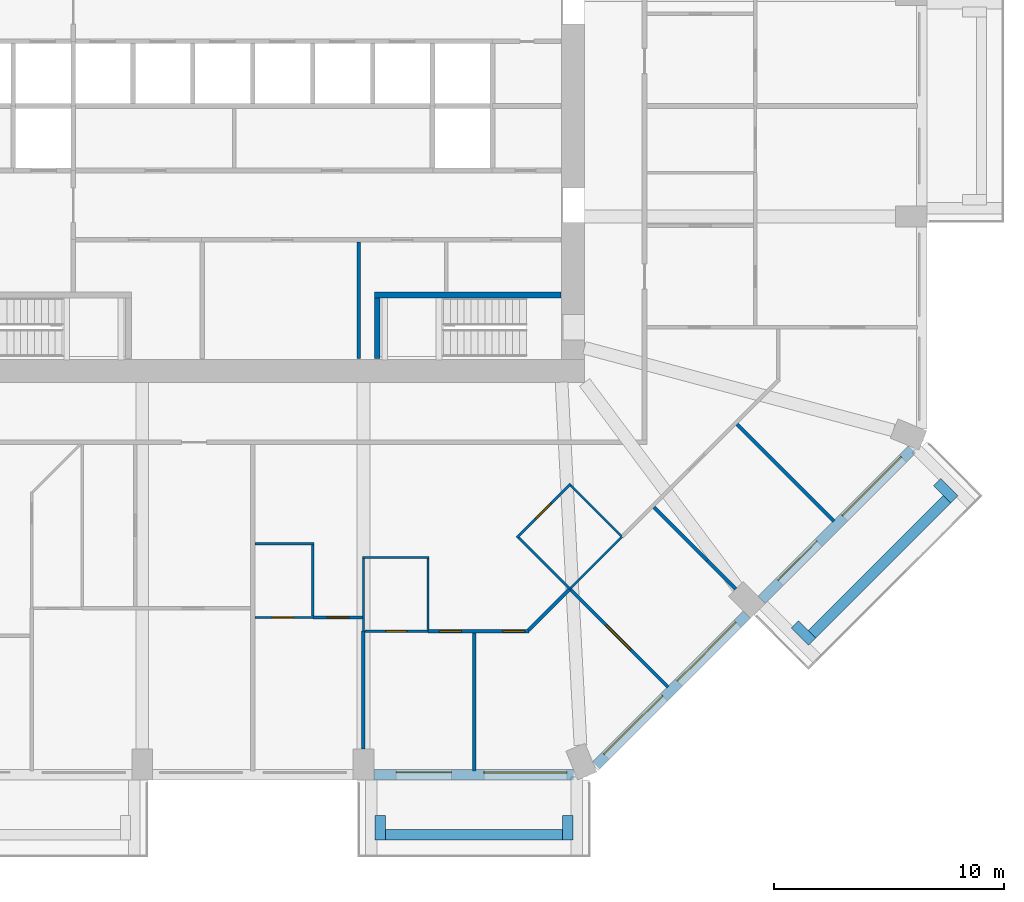
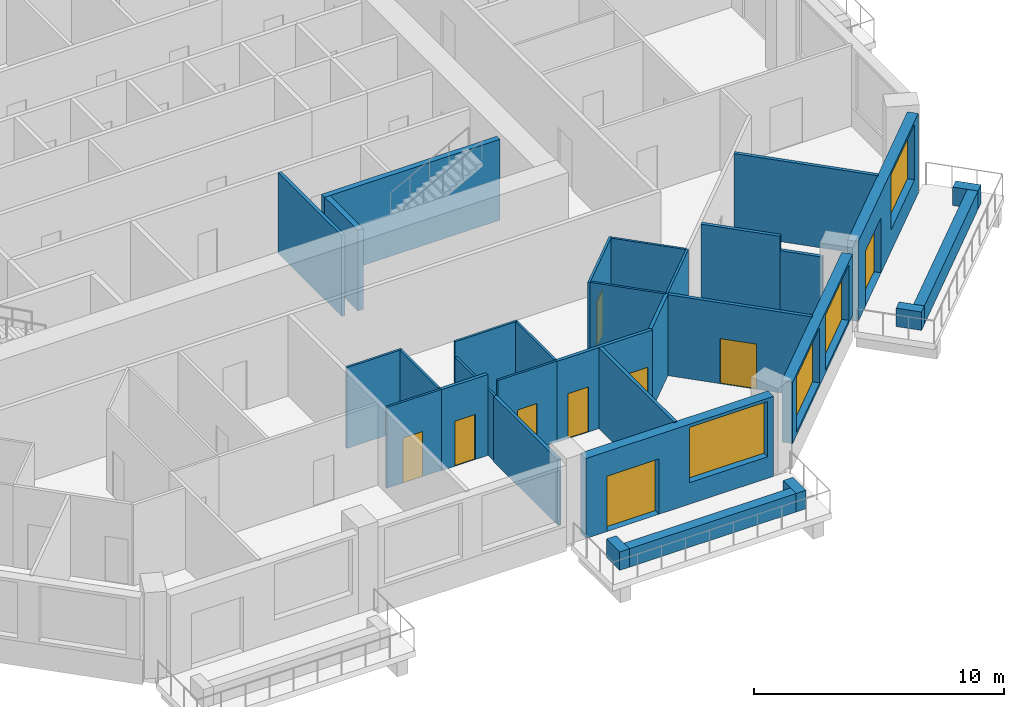
# One storey, part 5 of 13: 32 walls, 9 doors, 4 windows, 13 openings.
"""IFC4 building model written with IfcOpenShell, lengths in metres."""

from ifc_helpers import new_model, si_unit, direction, frame, frame_2d, origin, place, context, subcontext, project, spatial, rectangle, extrude, material, layer, layer_set, type_object, element, fill, save


model = new_model("IFC4")

# Units and contexts
model_context = context("Model", 3, precision=1e-05, world=origin(), true_north=direction((0.0, 1.0)))
body_context = subcontext(model_context, "Body", "Model", "MODEL_VIEW")
ifc_project = project(units=[si_unit("LENGTHUNIT", "METRE"), si_unit("AREAUNIT", "SQUARE_METRE"), si_unit("VOLUMEUNIT", "CUBIC_METRE"), si_unit("PLANEANGLEUNIT", "RADIAN"), si_unit("MASSUNIT", "GRAM", prefix="KILO")], contexts=[model_context])

# Site, building, storey
site_placement = place(None, origin())
site = spatial("IfcSite", under=ifc_project, at=site_placement, CompositionType="ELEMENT")
building_placement = place(site_placement, origin())
building = spatial("IfcBuilding", under=site, at=building_placement, Name="Msitu Wima Residences", CompositionType="ELEMENT")
storey_placement = place(building_placement, frame((0.0, 0.0, 38.10009765625)))
storey = spatial("IfcBuildingStorey", under=building, at=storey_placement, Name="L08", CompositionType="ELEMENT", Elevation=38.10009765625)

# Walls
ifc_material_1 = material(Name="Facing brick")
ifc_layer_1 = layer(ifc_material_1, 0.06494140625, Name="Facing brick")
ifc_material_2 = material(Name="Concrete C40/50", Category="concrete")
ifc_layer_2 = layer(ifc_material_2, 0.156005859375, Name="Concrete C40/50")
ifc_material_3 = material(Name="Waterproofing membrane")
ifc_layer_3 = layer(ifc_material_3, 0.00390625, Name="Waterproofing membrane")
ifc_material_4 = material(Name="Planting soil and planting")
ifc_layer_4 = layer(ifc_material_4, 0.22509765625, Name="Planting soil and planting")
ifc_layer_set_1 = layer_set([ifc_layer_1, ifc_layer_2, ifc_layer_3, ifc_layer_4], Name="Concrete C40/50")
wall_type_1 = type_object("IfcWallType", Name="Balcony planter PLANTER PL450", PredefinedType="USERDEFINED", material=ifc_layer_set_1)
wall_1_placement = place(storey_placement, frame((5.75, -31.625, 0.0), z_axis=(0.0, 0.0, 1.0), x_axis=(1.0, 0.0, 0.0)))
element("IfcWall", 1, at=wall_1_placement, inside=storey, type_object=wall_type_1, Name="Balcony planter S2 L08", ObjectType="PLANTER", PredefinedType="USERDEFINED", context=body_context, shape_type="SweptSolid", body=[
    extrude(rectangle(XDim=7.699951171875, YDim=0.449951171875, at=frame_2d((3.85009765625, 0.0))), origin(), (0.0, 0.0, 1.0), 0.89990234375),
])
for number, where, z_axis, x_axis, name in (
    (2, (5.52490234375, -30.800048828125, 0.0), (0.0, 0.0, 1.0), (0.0, -1.0, 0.0), "Balcony planter S2 L08"),
    (3, (13.675048828125, -30.800048828125, 0.0), (0.0, 0.0, 1.0), (0.0, -1.0, 0.0), "Balcony planter S2 L08"),
):
    element("IfcWall", number, at=place(storey_placement, frame(where, z_axis=z_axis, x_axis=x_axis)), inside=storey, type_object=wall_type_1, Name=name, ObjectType="PLANTER", PredefinedType="USERDEFINED", context=body_context, shape_type="SweptSolid", body=[
        extrude(rectangle(XDim=1.050048828125, YDim=0.449951171875, at=frame_2d((0.52490234375, 0.0))), origin(), (0.0, 0.0, 1.0), 0.89990234375),
    ])
wall_2_placement = place(storey_placement, frame((24.269287109375, -22.92578125, 0.0), z_axis=(0.0, 0.0, 1.0), x_axis=(0.707106781187, 0.707106781187, 0.0)))
element("IfcWall", 4, at=wall_2_placement, inside=storey, type_object=wall_type_1, Name="Balcony planter SE1 L08", ObjectType="PLANTER", PredefinedType="USERDEFINED", context=body_context, shape_type="SweptSolid", body=[
    extrude(rectangle(XDim=8.2822265625, YDim=0.449951171875, at=frame_2d((4.14111328125, 0.0))), origin(), (0.0, 0.0, 1.0), 0.89990234375),
])
for number, where, z_axis, x_axis, name in (
    (5, (23.52685546875, -22.50146484375, 0.0), (0.0, 0.0, 1.0), (0.706990528533, -0.707223014731, 0.0), "Balcony planter SE1 L08"),
    (6, (29.70166015625, -16.326904296875, 0.0), (0.0, 0.0, 1.0), (0.707106781187, -0.707106781187, 0.0), "Balcony planter SE1 L08"),
):
    element("IfcWall", number, at=place(storey_placement, frame(where, z_axis=z_axis, x_axis=x_axis)), inside=storey, type_object=wall_type_1, Name=name, ObjectType="PLANTER", PredefinedType="USERDEFINED", context=body_context, shape_type="SweptSolid", body=[
        extrude(rectangle(XDim=1.050048828125, YDim=0.449951171875, at=frame_2d((0.52490234375, 0.0))), origin(), (0.0, 0.0, 1.0), 0.89990234375),
    ])

# Wall, openings, door, window
ifc_material_5 = material(Name="Brick (red buff mix)", Category="masonry")
ifc_layer_5 = layer(ifc_material_5, 0.449951171875)
ifc_layer_set_2 = layer_set([ifc_layer_5], Name="Brick (red buff mix)")
wall_type_2 = type_object("IfcWallType", Name="Brick infill wall BW450", PredefinedType="SOLIDWALL", material=ifc_layer_set_2)
wall_3_placement = place(storey_placement, frame((5.25, -29.02490234375, 0.0), z_axis=(0.0, 0.0, 1.0), x_axis=(1.0, 0.0, 0.0)))
wall_3 = element("IfcWall", 7, at=wall_3_placement, inside=storey, type_object=wall_type_2, Name="Brick infill wall L08 S2", PredefinedType="SOLIDWALL", context=body_context, shape_type="SweptSolid", body=[
    extrude(rectangle(XDim=8.662841796875, YDim=0.449951171875, at=frame_2d((4.33154296875, 0.0))), origin(), (0.0, 0.0, 1.0), 3.89990234375),
])
opening_1_placement = place(wall_3_placement, frame((0.9658203125, 0.0, 0.0)))
opening_1 = element("IfcOpeningElement", 8, at=opening_1_placement, cuts=wall_3, Name="Opening D08-10.007", PredefinedType="OPENING", context=body_context, shape_type="SweptSolid", body=[
    extrude(rectangle(XDim=2.39990234375, YDim=2.699951171875, at=frame_2d((1.199951171875, 1.35009765625))), frame((0.0, 0.23486328125, 0.0), z_axis=(0.0, -1.0, 0.0), x_axis=(1.0, 0.0, 0.0)), (0.0, 0.0, 1.0), 0.469970703125),
])
opening_2_placement = place(wall_3_placement, frame((4.781494140625, 0.0, 1.050048828125)))
opening_2 = element("IfcOpeningElement", 9, at=opening_2_placement, cuts=wall_3, Name="Opening W08-10.019", PredefinedType="OPENING", context=body_context, shape_type="SweptSolid", body=[
    extrude(rectangle(XDim=3.60009765625, YDim=2.699951171875, at=frame_2d((1.800048828125, 1.35009765625))), frame((0.0, 0.23486328125, 0.0), z_axis=(0.0, -1.0, 0.0), x_axis=(1.0, 0.0, 0.0)), (0.0, 0.0, 1.0), 0.469970703125),
])
ifc_material_6 = material(Name="Anodised aluminium, bronze finish, clear low-emissivity double glazing", Category="aluminium")
door_type_1 = type_object("IfcDoorType", Name="Balcony door D2400x2700", OperationType="SLIDING_TO_LEFT", PredefinedType="DOOR", material=ifc_material_6)
door_1_placement = place(opening_1_placement, origin())
door_1 = element("IfcDoor", 10, at=door_1_placement, inside=storey, type_object=door_type_1, Name="Balcony door L08 S2", OperationType="SINGLE_SWING_LEFT", OverallHeight=2.699951171875, OverallWidth=2.39990234375, PredefinedType="DOOR", context=body_context, shape_type="SweptSolid", body=[
    extrude(rectangle(XDim=2.39990234375, YDim=2.699951171875, at=frame_2d((1.199951171875, 1.35009765625))), frame((0.0, 0.1298828125, 0.0), z_axis=(0.0, -1.0, 0.0), x_axis=(1.0, 0.0, 0.0)), (0.0, 0.0, 1.0), 0.050048828125),
])
fill(opening_1, door_1)
window_type = type_object("IfcWindowType", Name="Window W3600x2700", PartitioningType="DOUBLE_PANEL_VERTICAL", PredefinedType="WINDOW", material=ifc_material_6)
window_1_placement = place(opening_2_placement, origin())
window_1 = element("IfcWindow", 11, at=window_1_placement, inside=storey, type_object=window_type, Name="Window L08 S2.2", OverallHeight=2.699951171875, OverallWidth=3.60009765625, PartitioningType="SINGLE_PANEL", PredefinedType="WINDOW", context=body_context, shape_type="SweptSolid", body=[
    extrude(rectangle(XDim=3.60009765625, YDim=2.699951171875, at=frame_2d((1.800048828125, 1.35009765625))), frame((0.0, 0.135009765625, 0.0), z_axis=(0.0, -1.0, 0.0), x_axis=(1.0, 0.0, 0.0)), (0.0, 0.0, 1.0), 0.06005859375),
])
fill(opening_2, window_1)

# Wall, openings, windows
wall_4_placement = place(storey_placement, frame((14.903564453125, -28.61474609375, 0.89990234375), z_axis=(0.0, 0.0, 1.0), x_axis=(0.707106781187, 0.707106781187, 0.0)))
wall_4 = element("IfcWall", 12, at=wall_4_placement, inside=storey, type_object=wall_type_2, Name="Brick infill wall L08 SE0", PredefinedType="SOLIDWALL", context=body_context, shape_type="SweptSolid", body=[
    extrude(rectangle(XDim=9.2451171875, YDim=0.449951171875, at=frame_2d((4.62255859375, 0.0))), origin(), (0.0, 0.0, 1.0), 3.0),
])
opening_3_placement = place(wall_4_placement, frame((0.572509765625, 0.0, 0.14990234375)))
opening_3 = element("IfcOpeningElement", 13, at=opening_3_placement, cuts=wall_4, Name="Opening W08-10.020", PredefinedType="OPENING", context=body_context, shape_type="SweptSolid", body=[
    extrude(rectangle(XDim=3.60009765625, YDim=2.699951171875, at=frame_2d((1.800048828125, 1.35009765625))), frame((0.0, 0.23486328125, 0.0), z_axis=(0.0, -1.0, 0.0), x_axis=(1.0, 0.0, 0.0)), (0.0, 0.0, 1.0), 0.469970703125),
])
opening_4_placement = place(wall_4_placement, frame((5.072509765625, 0.0, 0.14990234375)))
opening_4 = element("IfcOpeningElement", 14, at=opening_4_placement, cuts=wall_4, Name="Opening W08-10.021", PredefinedType="OPENING", context=body_context, shape_type="SweptSolid", body=[
    extrude(rectangle(XDim=3.60009765625, YDim=2.699951171875, at=frame_2d((1.800048828125, 1.35009765625))), frame((0.0, 0.23486328125, 0.0), z_axis=(0.0, -1.0, 0.0), x_axis=(1.0, 0.0, 0.0)), (0.0, 0.0, 1.0), 0.469970703125),
])
window_2_placement = place(opening_3_placement, origin())
window_2 = element("IfcWindow", 15, at=window_2_placement, inside=storey, type_object=window_type, Name="Window L08 SE0.1", OverallHeight=2.699951171875, OverallWidth=3.60009765625, PartitioningType="SINGLE_PANEL", PredefinedType="WINDOW", context=body_context, shape_type="SweptSolid", body=[
    extrude(rectangle(XDim=3.60009765625, YDim=2.699951171875, at=frame_2d((1.800048828125, 1.35009765625))), frame((0.0, 0.135009765625, 0.0), z_axis=(0.0, -1.0, 0.0), x_axis=(1.0, 0.0, 0.0)), (0.0, 0.0, 1.0), 0.06005859375),
])
fill(opening_3, window_2)
window_3_placement = place(opening_4_placement, origin())
window_3 = element("IfcWindow", 16, at=window_3_placement, inside=storey, type_object=window_type, Name="Window L08 SE0.2", OverallHeight=2.699951171875, OverallWidth=3.60009765625, PartitioningType="SINGLE_PANEL", PredefinedType="WINDOW", context=body_context, shape_type="SweptSolid", body=[
    extrude(rectangle(XDim=3.60009765625, YDim=2.699951171875, at=frame_2d((1.800048828125, 1.35009765625))), frame((0.0, 0.135009765625, 0.0), z_axis=(0.0, -1.0, 0.0), x_axis=(1.0, 0.0, 0.0)), (0.0, 0.0, 1.0), 0.06005859375),
])
fill(opening_4, window_3)

# Wall, openings, door, window
wall_5_placement = place(storey_placement, frame((22.077392578125, -21.44091796875, 0.0), z_axis=(0.0, 0.0, 1.0), x_axis=(0.707106781187, 0.707106781187, 0.0)))
wall_5 = element("IfcWall", 17, at=wall_5_placement, inside=storey, type_object=wall_type_2, Name="Brick infill wall L08 SE1", PredefinedType="SOLIDWALL", context=body_context, shape_type="SweptSolid", body=[
    extrude(rectangle(XDim=9.2451171875, YDim=0.449951171875, at=frame_2d((4.62255859375, 0.0))), origin(), (0.0, 0.0, 1.0), 3.89990234375),
])
opening_5_placement = place(wall_5_placement, frame((1.111328125, 0.0, 0.0)))
opening_5 = element("IfcOpeningElement", 18, at=opening_5_placement, cuts=wall_5, Name="Opening D08-10.008", PredefinedType="OPENING", context=body_context, shape_type="SweptSolid", body=[
    extrude(rectangle(XDim=2.39990234375, YDim=2.699951171875, at=frame_2d((1.199951171875, 1.35009765625))), frame((0.0, 0.23486328125, 0.0), z_axis=(0.0, -1.0, 0.0), x_axis=(1.0, 0.0, 0.0)), (0.0, 0.0, 1.0), 0.469970703125),
])
opening_6_placement = place(wall_5_placement, frame((5.072509765625, 0.0, 1.050048828125)))
opening_6 = element("IfcOpeningElement", 19, at=opening_6_placement, cuts=wall_5, Name="Opening W08-10.022", PredefinedType="OPENING", context=body_context, shape_type="SweptSolid", body=[
    extrude(rectangle(XDim=3.60009765625, YDim=2.699951171875, at=frame_2d((1.800048828125, 1.35009765625))), frame((0.0, 0.23486328125, 0.0), z_axis=(0.0, -1.0, 0.0), x_axis=(1.0, 0.0, 0.0)), (0.0, 0.0, 1.0), 0.469970703125),
])
door_2_placement = place(opening_5_placement, origin())
door_2 = element("IfcDoor", 20, at=door_2_placement, inside=storey, type_object=door_type_1, Name="Balcony door L08 SE1", OperationType="SINGLE_SWING_LEFT", OverallHeight=2.699951171875, OverallWidth=2.39990234375, PredefinedType="DOOR", context=body_context, shape_type="SweptSolid", body=[
    extrude(rectangle(XDim=2.39990234375, YDim=2.699951171875, at=frame_2d((1.199951171875, 1.35009765625))), frame((0.0, 0.1298828125, 0.0), z_axis=(0.0, -1.0, 0.0), x_axis=(1.0, 0.0, 0.0)), (0.0, 0.0, 1.0), 0.050048828125),
])
fill(opening_5, door_2)
window_4_placement = place(opening_6_placement, origin())
window_4 = element("IfcWindow", 21, at=window_4_placement, inside=storey, type_object=window_type, Name="Window L08 SE1.2", OverallHeight=2.699951171875, OverallWidth=3.60009765625, PartitioningType="SINGLE_PANEL", PredefinedType="WINDOW", context=body_context, shape_type="SweptSolid", body=[
    extrude(rectangle(XDim=3.60009765625, YDim=2.699951171875, at=frame_2d((1.800048828125, 1.35009765625))), frame((0.0, 0.135009765625, 0.0), z_axis=(0.0, -1.0, 0.0), x_axis=(1.0, 0.0, 0.0)), (0.0, 0.0, 1.0), 0.06005859375),
])
fill(opening_6, window_4)

# Wall, opening, door
ifc_material_7 = material(Name="Plaster")
ifc_layer_6 = layer(ifc_material_7, 0.011962890625, Name="Plaster")
ifc_material_8 = material(Name="Concrete blockwork", Category="masonry")
ifc_layer_7 = layer(ifc_material_8, 0.1259765625, Name="Concrete blockwork")
ifc_layer_8 = layer(ifc_material_7, 0.011962890625, Name="Plaster")
ifc_layer_set_3 = layer_set([ifc_layer_6, ifc_layer_7, ifc_layer_8], Name="Concrete blockwork")
wall_type_3 = type_object("IfcWallType", Name="Partition PW150", PredefinedType="PARTITIONING", material=ifc_layer_set_3)
wall_6_placement = place(storey_placement, frame((2.6201171875, -22.199951171875, 0.0), z_axis=(0.0, 0.0, 1.0), x_axis=(1.0, 0.0, 0.0)))
wall_6 = element("IfcWall", 22, at=wall_6_placement, inside=storey, type_object=wall_type_3, Name="Partition", PredefinedType="PARTITIONING", context=body_context, shape_type="SweptSolid", body=[
    extrude(rectangle(XDim=2.1298828125, YDim=0.14990234375, at=frame_2d((1.06494140625, 0.0))), origin(), (0.0, 0.0, 1.0), 3.949951171875),
])
opening_7_placement = place(wall_6_placement, frame((0.60009765625, 0.0, 0.0)))
opening_7 = element("IfcOpeningElement", 23, at=opening_7_placement, cuts=wall_6, Name="Opening D08-10.078", PredefinedType="OPENING", context=body_context, shape_type="SweptSolid", body=[
    extrude(rectangle(XDim=0.949951171875, YDim=2.199951171875, at=frame_2d((0.47509765625, 1.10009765625))), frame((0.0, 0.0849609375, 0.0), z_axis=(0.0, -1.0, 0.0), x_axis=(1.0, 0.0, 0.0)), (0.0, 0.0, 1.0), 0.169921875),
])
ifc_material_9 = material(Name="Timber flush door", Category="wood")
door_type_2 = type_object("IfcDoorType", Name="Room door D12 950x2200", OperationType="SINGLE_SWING_LEFT", PredefinedType="DOOR", material=ifc_material_9)
door_3_placement = place(opening_7_placement, origin())
door_3 = element("IfcDoor", 24, at=door_3_placement, inside=storey, type_object=door_type_2, Name="Room door", OperationType="SINGLE_SWING_LEFT", OverallHeight=2.199951171875, OverallWidth=0.949951171875, PredefinedType="DOOR", context=body_context, shape_type="SweptSolid", body=[
    extrude(rectangle(XDim=0.949951171875, YDim=2.199951171875, at=frame_2d((0.47509765625, 1.10009765625))), frame((0.0, 0.02490234375, 0.0), z_axis=(0.0, -1.0, 0.0), x_axis=(1.0, 0.0, 0.0)), (0.0, 0.0, 1.0), 0.050048828125),
])
fill(opening_7, door_3)

# Walls
wall_7_placement = place(storey_placement, frame((4.60009765625, -10.969970703125, 0.0), z_axis=(0.0, 0.0, 1.0), x_axis=(0.0, 1.0, 0.0)))
element("IfcWall", 25, at=wall_7_placement, inside=storey, type_object=wall_type_3, Name="Partition", PredefinedType="PARTITIONING", context=body_context, shape_type="SweptSolid", body=[
    extrude(rectangle(XDim=5.070068359375, YDim=0.14990234375, at=frame_2d((2.53515625, 0.0))), origin(), (0.0, 0.0, 1.0), 3.949951171875),
])
wall_8_placement = place(storey_placement, frame((4.800048828125, -27.89990234375, 0.0), z_axis=(0.0, 0.0, 1.0), x_axis=(0.0, 1.0, 0.0)))
element("IfcWall", 26, at=wall_8_placement, inside=storey, type_object=wall_type_3, Name="Partition", PredefinedType="PARTITIONING", context=body_context, shape_type="SweptSolid", body=[
    extrude(rectangle(XDim=5.119873046875, YDim=0.14990234375, at=frame_2d((2.56005859375, 0.0))), origin(), (0.0, 0.0, 1.0), 3.199951171875),
])

# Wall, openings, doors
wall_9_placement = place(storey_placement, frame((7.60009765625, -22.800048828125, 0.0), z_axis=(0.0, 0.0, 1.0), x_axis=(1.0, 0.0, 0.0)))
wall_9 = element("IfcWall", 27, at=wall_9_placement, inside=storey, type_object=wall_type_3, Name="Partition", PredefinedType="PARTITIONING", context=body_context, shape_type="SweptSolid", body=[
    extrude(rectangle(XDim=4.3896484375, YDim=0.14990234375, at=frame_2d((2.19482421875, 0.0))), origin(), (0.0, 0.0, 1.0), 3.949951171875),
])
opening_8_placement = place(wall_9_placement, frame((0.5, 0.0, 0.0)))
opening_8 = element("IfcOpeningElement", 28, at=opening_8_placement, cuts=wall_9, Name="Opening D08-10.075", PredefinedType="OPENING", context=body_context, shape_type="SweptSolid", body=[
    extrude(rectangle(XDim=0.949951171875, YDim=2.199951171875, at=frame_2d((0.47509765625, 1.10009765625))), frame((0.0, 0.0849609375, 0.0), z_axis=(0.0, -1.0, 0.0), x_axis=(1.0, 0.0, 0.0)), (0.0, 0.0, 1.0), 0.169921875),
])
opening_9_placement = place(wall_9_placement, frame((3.25, 0.0, 0.0)))
opening_9 = element("IfcOpeningElement", 29, at=opening_9_placement, cuts=wall_9, Name="Opening D08-10.081", PredefinedType="OPENING", context=body_context, shape_type="SweptSolid", body=[
    extrude(rectangle(XDim=0.949951171875, YDim=2.199951171875, at=frame_2d((0.47509765625, 1.10009765625))), frame((0.0, 0.0849609375, 0.0), z_axis=(0.0, -1.0, 0.0), x_axis=(1.0, 0.0, 0.0)), (0.0, 0.0, 1.0), 0.169921875),
])
door_4_placement = place(opening_8_placement, origin())
door_4 = element("IfcDoor", 30, at=door_4_placement, inside=storey, type_object=door_type_2, Name="Room door", OperationType="SINGLE_SWING_LEFT", OverallHeight=2.199951171875, OverallWidth=0.949951171875, PredefinedType="DOOR", context=body_context, shape_type="SweptSolid", body=[
    extrude(rectangle(XDim=0.949951171875, YDim=2.199951171875, at=frame_2d((0.47509765625, 1.10009765625))), frame((0.0, 0.02490234375, 0.0), z_axis=(0.0, -1.0, 0.0), x_axis=(1.0, 0.0, 0.0)), (0.0, 0.0, 1.0), 0.050048828125),
])
fill(opening_8, door_4)
door_5_placement = place(opening_9_placement, origin())
door_5 = element("IfcDoor", 31, at=door_5_placement, inside=storey, type_object=door_type_2, Name="Room door", OperationType="SINGLE_SWING_RIGHT", OverallHeight=2.199951171875, OverallWidth=0.949951171875, PredefinedType="DOOR", context=body_context, shape_type="SweptSolid", body=[
    extrude(rectangle(XDim=0.949951171875, YDim=2.199951171875, at=frame_2d((0.47509765625, 1.10009765625))), frame((0.0, 0.02490234375, 0.0), z_axis=(0.0, -1.0, 0.0), x_axis=(1.0, 0.0, 0.0)), (0.0, 0.0, 1.0), 0.050048828125),
])
fill(opening_9, door_5)

# Walls
wall_10_placement = place(storey_placement, frame((9.60009765625, -28.85498046875, 0.0), z_axis=(0.0, 0.0, 1.0), x_axis=(0.0, 1.0, 0.0)))
element("IfcWall", 32, at=wall_10_placement, inside=storey, type_object=wall_type_3, Name="Partition", PredefinedType="PARTITIONING", context=body_context, shape_type="SweptSolid", body=[
    extrude(rectangle(XDim=5.97998046875, YDim=0.14990234375, at=frame_2d((2.989990234375, 0.0))), origin(), (0.0, 0.0, 1.0), 3.949951171875),
])
wall_11_placement = place(storey_placement, frame((11.9677734375, -22.7470703125, 0.0), z_axis=(0.0, 0.0, 1.0), x_axis=(0.707058549081, 0.707155010002, 0.0)))
element("IfcWall", 33, at=wall_11_placement, inside=storey, type_object=wall_type_3, Name="Partition", PredefinedType="PARTITIONING", context=body_context, shape_type="SweptSolid", body=[
    extrude(rectangle(XDim=2.531005859375, YDim=0.14990234375, at=frame_2d((1.265625, 0.0))), origin(), (0.0, 0.0, 1.0), 3.949951171875),
])

# Wall, opening, door
wall_12_placement = place(storey_placement, frame((13.7431640625, -20.943115234375, 0.0), z_axis=(0.0, 0.0, 1.0), x_axis=(0.707086587655, -0.707126974141, 0.0)))
wall_12 = element("IfcWall", 34, at=wall_12_placement, inside=storey, type_object=wall_type_3, Name="Partition", PredefinedType="PARTITIONING", context=body_context, shape_type="SweptSolid", body=[
    extrude(rectangle(XDim=6.045166015625, YDim=0.14990234375, at=frame_2d((3.0224609375, 0.0))), origin(), (0.0, 0.0, 1.0), 3.949951171875),
])
opening_10_placement = place(wall_12_placement, frame((2.25, 0.0, 0.0)))
opening_10 = element("IfcOpeningElement", 35, at=opening_10_placement, cuts=wall_12, Name="Opening D08-10.082", PredefinedType="OPENING", context=body_context, shape_type="SweptSolid", body=[
    extrude(rectangle(XDim=1.5, YDim=2.199951171875, at=frame_2d((0.75, 1.10009765625))), frame((0.0, 0.0849609375, 0.0), z_axis=(0.0, -1.0, 0.0), x_axis=(1.0, 0.0, 0.0)), (0.0, 0.0, 1.0), 0.169921875),
])
ifc_material_10 = material(Name="Timber double door", Category="wood")
door_type_3 = type_object("IfcDoorType", Name="Double door D04 1500x2200", OperationType="DOUBLE_DOOR_SINGLE_SWING", PredefinedType="DOOR", material=ifc_material_10)
door_6_placement = place(opening_10_placement, origin())
door_6 = element("IfcDoor", 36, at=door_6_placement, inside=storey, type_object=door_type_3, Name="Double door", OperationType="DOUBLE_DOOR_SINGLE_SWING", OverallHeight=2.199951171875, OverallWidth=1.5, PredefinedType="DOOR", context=body_context, shape_type="SweptSolid", body=[
    extrude(rectangle(XDim=1.5, YDim=2.199951171875, at=frame_2d((0.75, 1.10009765625))), frame((0.0, 0.02490234375, 0.0), z_axis=(0.0, -1.0, 0.0), x_axis=(1.0, 0.0, 0.0)), (0.0, 0.0, 1.0), 0.050048828125),
])
fill(opening_10, door_6)

# Walls
wall_13_placement = place(storey_placement, frame((17.410400390625, -17.410400390625, 0.0), z_axis=(0.0, 0.0, 1.0), x_axis=(0.707106781187, -0.707106781187, 0.0)))
element("IfcWall", 37, at=wall_13_placement, inside=storey, type_object=wall_type_3, Name="Partition", PredefinedType="PARTITIONING", context=body_context, shape_type="SweptSolid", body=[
    extrude(rectangle(XDim=3.276611328125, YDim=0.14990234375, at=frame_2d((1.63818359375, 0.0))), origin(), (0.0, 0.0, 1.0), 3.949951171875),
])
wall_14_placement = place(storey_placement, frame((19.727294921875, -19.727294921875, 0.0), z_axis=(0.0, 0.0, 1.0), x_axis=(0.707106781187, -0.707106781187, 0.0)))
element("IfcWall", 38, at=wall_14_placement, inside=storey, type_object=wall_type_3, Name="Partition", PredefinedType="PARTITIONING", context=body_context, shape_type="SweptSolid", body=[
    extrude(rectangle(XDim=1.74853515625, YDim=0.14990234375, at=frame_2d((0.874267578125, 0.0))), origin(), (0.0, 0.0, 1.0), 3.25),
])
wall_15_placement = place(storey_placement, frame((21.010498046875, -13.810302734375, 0.0), z_axis=(0.0, 0.0, 1.0), x_axis=(0.707106781187, -0.707106781187, 0.0)))
element("IfcWall", 39, at=wall_15_placement, inside=storey, type_object=wall_type_3, Name="Partition", PredefinedType="PARTITIONING", context=body_context, shape_type="SweptSolid", body=[
    extrude(rectangle(XDim=5.949951171875, YDim=0.14990234375, at=frame_2d((2.97509765625, 0.0))), origin(), (0.0, 0.0, 1.0), 3.949951171875),
])
ifc_material_11 = material(Name="Concrete C50/60", Category="concrete")
ifc_layer_9 = layer(ifc_material_11, 0.25)
ifc_layer_set_4 = layer_set([ifc_layer_9], Name="Concrete C50/60")
wall_type_4 = type_object("IfcWallType", Name="Stair enclosure wall SW250", PredefinedType="SHEAR", material=ifc_layer_set_4)
wall_16_placement = place(storey_placement, frame((5.39990234375, -10.969970703125, 0.0), z_axis=(0.0, 0.0, 1.0), x_axis=(0.0, 1.0, 0.0)))
element("IfcWall", 40, at=wall_16_placement, inside=storey, type_object=wall_type_4, Name="Stair enclosure wall", PredefinedType="SHEAR", context=body_context, shape_type="SweptSolid", body=[
    extrude(rectangle(XDim=2.64501953125, YDim=0.25, at=frame_2d((1.322509765625, 0.0))), origin(), (0.0, 0.0, 1.0), 3.949951171875),
])
wall_17_placement = place(storey_placement, frame((5.27490234375, -8.199951171875, 0.0), z_axis=(0.0, 0.0, 1.0), x_axis=(1.0, 0.0, 0.0)))
element("IfcWall", 41, at=wall_17_placement, inside=storey, type_object=wall_type_4, Name="Stair enclosure wall", PredefinedType="SHEAR", context=body_context, shape_type="SweptSolid", body=[
    extrude(rectangle(XDim=8.09521484375, YDim=0.25, at=frame_2d((4.047607421875, 0.0))), origin(), (0.0, 0.0, 1.0), 3.949951171875),
])

# Wall, opening, door
ifc_material_12 = material(Name="Ceramic tiles")
ifc_layer_10 = layer(ifc_material_12, 0.008056640625, Name="Ceramic tiles")
ifc_material_13 = material(Name="Moisture-resistant board")
ifc_layer_11 = layer(ifc_material_13, 0.012451171875, Name="Moisture-resistant board")
ifc_material_14 = material(Name="Light-gauge stud framing with mineral wool")
ifc_layer_12 = layer(ifc_material_14, 0.06689453125, Name="Light-gauge stud framing with mineral wool")
ifc_layer_13 = layer(ifc_material_13, 0.012451171875, Name="Moisture-resistant board")
ifc_layer_set_5 = layer_set([ifc_layer_10, ifc_layer_11, ifc_layer_12, ifc_layer_13], Name="Light-gauge stud framing with mineral wool")
wall_type_5 = type_object("IfcWallType", Name="Wet wall PW100", PredefinedType="PARTITIONING", material=ifc_layer_set_5)
wall_18_placement = place(storey_placement, frame((0.10009765625, -22.199951171875, 0.0), z_axis=(0.0, 0.0, 1.0), x_axis=(1.0, 0.0, 0.0)))
wall_18 = element("IfcWall", 42, at=wall_18_placement, inside=storey, type_object=wall_type_5, Name="Wet wall", PredefinedType="PARTITIONING", context=body_context, shape_type="SweptSolid", body=[
    extrude(rectangle(XDim=2.52001953125, YDim=0.10009765625, at=frame_2d((1.260009765625, 0.0))), origin(), (0.0, 0.0, 1.0), 3.949951171875),
])
opening_11_placement = place(wall_18_placement, frame((0.75, 0.0, 0.0)))
opening_11 = element("IfcOpeningElement", 43, at=opening_11_placement, cuts=wall_18, Name="Opening D08-10.079", PredefinedType="OPENING", context=body_context, shape_type="SweptSolid", body=[
    extrude(rectangle(XDim=0.89990234375, YDim=2.199951171875, at=frame_2d((0.449951171875, 1.10009765625))), frame((0.0, 0.06005859375, 0.0), z_axis=(0.0, -1.0, 0.0), x_axis=(1.0, 0.0, 0.0)), (0.0, 0.0, 1.0), 0.1201171875),
])
ifc_material_15 = material(Name="Timber flush door, moisture resistant", Category="wood")
door_type_4 = type_object("IfcDoorType", Name="Bathroom door D03 900x2200", OperationType="SINGLE_SWING_LEFT", PredefinedType="DOOR", material=ifc_material_15)
door_7_placement = place(opening_11_placement, origin())
door_7 = element("IfcDoor", 44, at=door_7_placement, inside=storey, type_object=door_type_4, Name="Bathroom door", OperationType="SINGLE_SWING_LEFT", OverallHeight=2.199951171875, OverallWidth=0.89990234375, PredefinedType="DOOR", context=body_context, shape_type="SweptSolid", body=[
    extrude(rectangle(XDim=0.89990234375, YDim=2.199951171875, at=frame_2d((0.449951171875, 1.10009765625))), frame((0.0, 0.02490234375, 0.0), z_axis=(0.0, -1.0, 0.0), x_axis=(1.0, 0.0, 0.0)), (0.0, 0.0, 1.0), 0.050048828125),
])
fill(opening_11, door_7)

# Walls
wall_19_placement = place(storey_placement, frame((0.10009765625, -19.0, 0.0), z_axis=(0.0, 0.0, 1.0), x_axis=(1.0, 0.0, 0.0)))
element("IfcWall", 45, at=wall_19_placement, inside=storey, type_object=wall_type_5, Name="Wet wall", PredefinedType="PARTITIONING", context=body_context, shape_type="SweptSolid", body=[
    extrude(rectangle(XDim=2.5498046875, YDim=0.10009765625, at=frame_2d((1.27490234375, 0.0))), origin(), (0.0, 0.0, 1.0), 3.949951171875),
])
wall_20_placement = place(storey_placement, frame((2.60009765625, -22.125, 0.0), z_axis=(0.0, 0.0, 1.0), x_axis=(0.0, 1.0, 0.0)))
element("IfcWall", 46, at=wall_20_placement, inside=storey, type_object=wall_type_5, Name="Wet wall", PredefinedType="PARTITIONING", context=body_context, shape_type="SweptSolid", body=[
    extrude(rectangle(XDim=3.074951171875, YDim=0.10009765625, at=frame_2d((1.53759765625, 0.0))), origin(), (0.0, 0.0, 1.0), 3.949951171875),
])
wall_21_placement = place(storey_placement, frame((4.800048828125, -22.780029296875, 0.0), z_axis=(0.0, 0.0, 1.0), x_axis=(0.0, 1.0, 0.0)))
element("IfcWall", 47, at=wall_21_placement, inside=storey, type_object=wall_type_5, Name="Wet wall", PredefinedType="PARTITIONING", context=body_context, shape_type="SweptSolid", body=[
    extrude(rectangle(XDim=3.130126953125, YDim=0.10009765625, at=frame_2d((1.56494140625, 0.0))), origin(), (0.0, 0.0, 1.0), 3.199951171875),
])

# Wall, opening, door
wall_22_placement = place(storey_placement, frame((4.875, -22.800048828125, 0.0), z_axis=(0.0, 0.0, 1.0), x_axis=(1.0, 0.0, 0.0)))
wall_22 = element("IfcWall", 48, at=wall_22_placement, inside=storey, type_object=wall_type_5, Name="Wet wall", PredefinedType="PARTITIONING", context=body_context, shape_type="SweptSolid", body=[
    extrude(rectangle(XDim=2.72509765625, YDim=0.10009765625, at=frame_2d((1.362548828125, 0.0))), origin(), (0.0, 0.0, 1.0), 3.949951171875),
])
opening_12_placement = place(wall_22_placement, frame((0.89990234375, 0.0, 0.0)))
opening_12 = element("IfcOpeningElement", 49, at=opening_12_placement, cuts=wall_22, Name="Opening D08-10.076", PredefinedType="OPENING", context=body_context, shape_type="SweptSolid", body=[
    extrude(rectangle(XDim=0.89990234375, YDim=2.199951171875, at=frame_2d((0.449951171875, 1.10009765625))), frame((0.0, 0.06005859375, 0.0), z_axis=(0.0, -1.0, 0.0), x_axis=(1.0, 0.0, 0.0)), (0.0, 0.0, 1.0), 0.1201171875),
])
door_8_placement = place(opening_12_placement, origin())
door_8 = element("IfcDoor", 50, at=door_8_placement, inside=storey, type_object=door_type_4, Name="Bathroom door", OperationType="SINGLE_SWING_RIGHT", OverallHeight=2.199951171875, OverallWidth=0.89990234375, PredefinedType="DOOR", context=body_context, shape_type="SweptSolid", body=[
    extrude(rectangle(XDim=0.89990234375, YDim=2.199951171875, at=frame_2d((0.449951171875, 1.10009765625))), frame((0.0, 0.02490234375, 0.0), z_axis=(0.0, -1.0, 0.0), x_axis=(1.0, 0.0, 0.0)), (0.0, 0.0, 1.0), 0.050048828125),
])
fill(opening_12, door_8)

# Walls
wall_23_placement = place(storey_placement, frame((4.75, -19.60009765625, 0.0), z_axis=(0.0, 0.0, 1.0), x_axis=(1.0, 0.0, 0.0)))
element("IfcWall", 51, at=wall_23_placement, inside=storey, type_object=wall_type_5, Name="Wet wall", PredefinedType="PARTITIONING", context=body_context, shape_type="SweptSolid", body=[
    extrude(rectangle(XDim=2.89990234375, YDim=0.10009765625, at=frame_2d((1.449951171875, 0.0))), origin(), (0.0, 0.0, 1.0), 3.949951171875),
])
wall_24_placement = place(storey_placement, frame((7.60009765625, -22.72509765625, 0.0), z_axis=(0.0, 0.0, 1.0), x_axis=(0.0, 1.0, 0.0)))
element("IfcWall", 52, at=wall_24_placement, inside=storey, type_object=wall_type_5, Name="Wet wall", PredefinedType="PARTITIONING", context=body_context, shape_type="SweptSolid", body=[
    extrude(rectangle(XDim=3.0751953125, YDim=0.10009765625, at=frame_2d((1.53759765625, 0.0))), origin(), (0.0, 0.0, 1.0), 3.949951171875),
])

# Wall, opening, door
wall_25_placement = place(storey_placement, frame((11.459228515625, -18.72998046875, 0.0), z_axis=(0.0, 0.0, 1.0), x_axis=(0.707106781187, 0.707106781187, 0.0)))
wall_25 = element("IfcWall", 53, at=wall_25_placement, inside=storey, type_object=wall_type_5, Name="Wet wall", PredefinedType="PARTITIONING", context=body_context, shape_type="SweptSolid", body=[
    extrude(rectangle(XDim=3.300048828125, YDim=0.10009765625, at=frame_2d((1.64990234375, 0.0))), origin(), (0.0, 0.0, 1.0), 3.949951171875),
])
opening_13_placement = place(wall_25_placement, frame((1.14990234375, 0.0, 0.0)))
opening_13 = element("IfcOpeningElement", 54, at=opening_13_placement, cuts=wall_25, Name="Opening D08-10.083", PredefinedType="OPENING", context=body_context, shape_type="SweptSolid", body=[
    extrude(rectangle(XDim=0.949951171875, YDim=2.199951171875, at=frame_2d((0.47509765625, 1.10009765625))), frame((0.0, 0.06005859375, 0.0), z_axis=(0.0, -1.0, 0.0), x_axis=(1.0, 0.0, 0.0)), (0.0, 0.0, 1.0), 0.1201171875),
])
door_9_placement = place(opening_13_placement, origin())
door_9 = element("IfcDoor", 55, at=door_9_placement, inside=storey, type_object=door_type_2, Name="Room door", OperationType="SINGLE_SWING_RIGHT", OverallHeight=2.199951171875, OverallWidth=0.949951171875, PredefinedType="DOOR", context=body_context, shape_type="SweptSolid", body=[
    extrude(rectangle(XDim=0.949951171875, YDim=2.199951171875, at=frame_2d((0.47509765625, 1.10009765625))), frame((0.0, 0.02490234375, 0.0), z_axis=(0.0, -1.0, 0.0), x_axis=(1.0, 0.0, 0.0)), (0.0, 0.0, 1.0), 0.050048828125),
])
fill(opening_13, door_9)

# Walls
wall_26_placement = place(storey_placement, frame((11.530029296875, -18.72998046875, 0.0), z_axis=(0.0, 0.0, 1.0), x_axis=(0.707106781187, -0.707106781187, 0.0)))
element("IfcWall", 56, at=wall_26_placement, inside=storey, type_object=wall_type_5, Name="Wet wall", PredefinedType="PARTITIONING", context=body_context, shape_type="SweptSolid", body=[
    extrude(rectangle(XDim=3.1298828125, YDim=0.10009765625, at=frame_2d((1.56494140625, 0.0))), origin(), (0.0, 0.0, 1.0), 3.949951171875),
])
wall_27_placement = place(storey_placement, frame((13.75732421875, -20.957275390625, 0.0), z_axis=(0.0, 0.0, 1.0), x_axis=(0.707106781187, 0.707106781187, 0.0)))
element("IfcWall", 57, at=wall_27_placement, inside=storey, type_object=wall_type_5, Name="Wet wall", PredefinedType="PARTITIONING", context=body_context, shape_type="SweptSolid", body=[
    extrude(rectangle(XDim=3.199951171875, YDim=0.10009765625, at=frame_2d((1.60009765625, 0.0))), origin(), (0.0, 0.0, 1.0), 3.949951171875),
])
wall_28_placement = place(storey_placement, frame((13.792724609375, -16.46728515625, 0.0), z_axis=(0.0, 0.0, 1.0), x_axis=(0.707146157869, -0.707067402311, 0.0)))
element("IfcWall", 58, at=wall_28_placement, inside=storey, type_object=wall_type_5, Name="Wet wall", PredefinedType="PARTITIONING", context=body_context, shape_type="SweptSolid", body=[
    extrude(rectangle(XDim=3.10009765625, YDim=0.10009765625, at=frame_2d((1.550048828125, 0.0))), origin(), (0.0, 0.0, 1.0), 3.949951171875),
])

save(model, "model.ifc")
